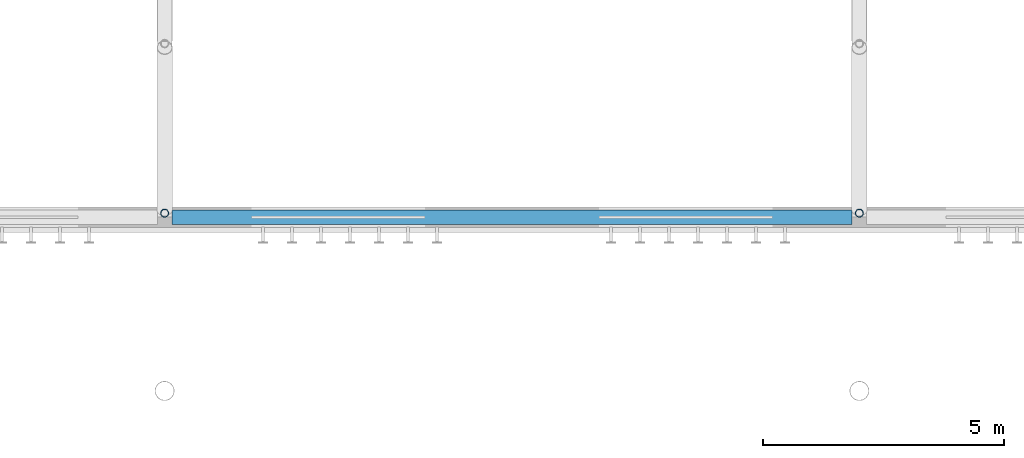
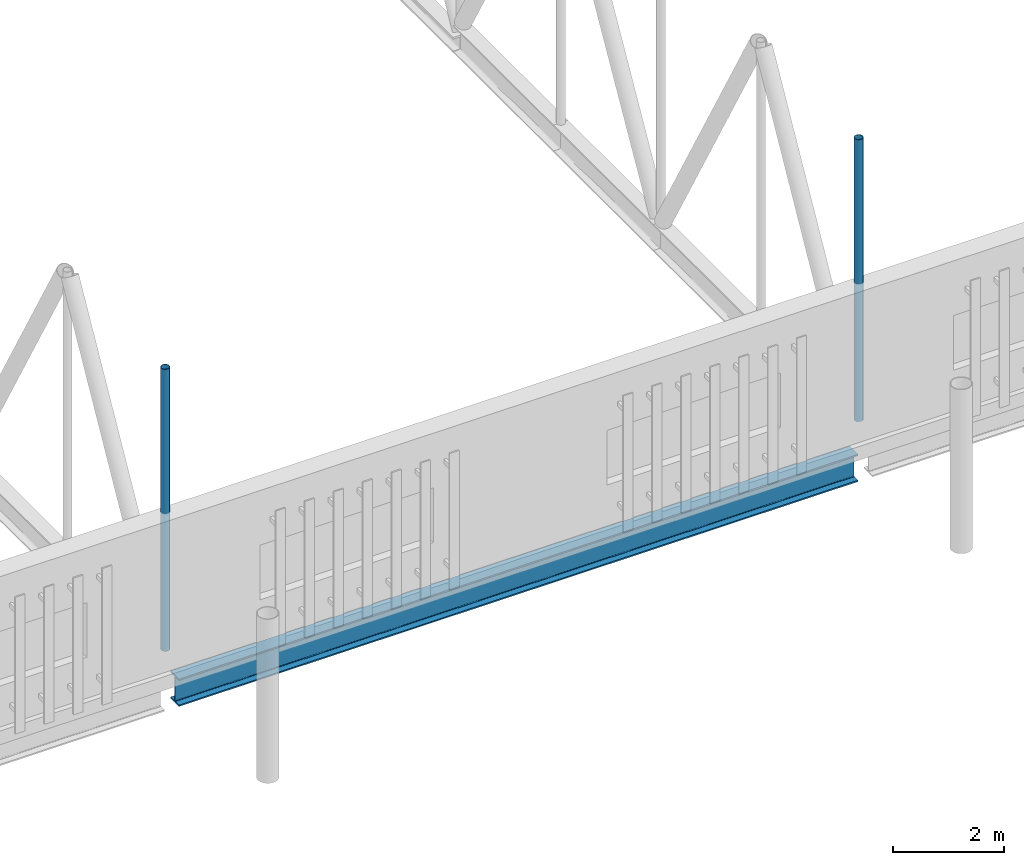
# One storey, part 33 of 142: 2 members, 1 beam.
"""IFC4 building model written with IfcOpenShell, lengths in metres."""

from ifc_helpers import new_model, si_unit, direction, frame, origin, origin_2d, place, context, subcontext, project, spatial, hollow_circle, i_section, extrude, material, material_profile, profile_set, type_object, element, save


model = new_model("IFC4")

# Units and contexts
model_context = context("Model", 3, precision=1e-05, world=origin(), true_north=direction((0.0, 1.0)))
body_context = subcontext(model_context, "Body", "Model", "MODEL_VIEW")
ifc_project = project(units=[si_unit("LENGTHUNIT", "METRE"), si_unit("AREAUNIT", "SQUARE_METRE"), si_unit("VOLUMEUNIT", "CUBIC_METRE"), si_unit("PLANEANGLEUNIT", "RADIAN"), si_unit("MASSUNIT", "GRAM", prefix="KILO")], contexts=[model_context])

# Site, building, storey
site_placement = place(None, origin())
site = spatial("IfcSite", under=ifc_project, at=site_placement, CompositionType="ELEMENT")
building_placement = place(site_placement, origin())
building = spatial("IfcBuilding", under=site, at=building_placement, Name="Kupolbacken Congress Centre", CompositionType="ELEMENT")
storey_placement = place(building_placement, frame((0.0, 0.0, 14.39990234375)))
storey = spatial("IfcBuildingStorey", under=building, at=storey_placement, Name="L04", CompositionType="ELEMENT", Elevation=14.39990234375)

# Beam
ifc_material_1 = material(Name="Steel S355", Category="steel")
ifc_material_profile_1 = material_profile(ifc_material_1, i_section(OverallWidth=0.300048828125, OverallDepth=0.60009765625, WebThickness=0.015380859375, FlangeThickness=0.030029296875, FilletRadius=0.027099609375, at=origin_2d()), Name="HEB 600")
ifc_profile_set_1 = profile_set([ifc_material_profile_1], Name="Steel S355")
beam_type = type_object("IfcBeamType", Name="B15 beam HEB 600", PredefinedType="BEAM", material=ifc_profile_set_1)
beam_placement = place(storey_placement, frame((108.14990234375, 43.199951171875, -0.2998046875), z_axis=(1.0, 0.0, 0.0), x_axis=(0.0, 1.0, 0.0)))
element("IfcBeam", 1, at=beam_placement, inside=storey, type_object=beam_type, Name="Edge girder", PredefinedType="BEAM", context=body_context, shape_type="SweptSolid", body=[
    extrude(i_section(OverallWidth=0.300048828125, OverallDepth=0.60009765625, WebThickness=0.015380859375, FlangeThickness=0.030029296875, FilletRadius=0.027099609375, at=origin_2d()), origin(), (0.0, 0.0, 1.0), 14.10009765625),
])

# Members
ifc_material_2 = material(Name="Steel S355", Category="steel")
ifc_material_profile_2 = material_profile(ifc_material_2, hollow_circle(Radius=0.084228515625, WallThickness=0.008056640625, at=origin_2d()), Name="CHS 168.3 x 8")
ifc_profile_set_2 = profile_set([ifc_material_profile_2], Name="Steel S355")
member_type = type_object("IfcMemberType", Name="M20 transfer truss post CHS 168.3 x 8", PredefinedType="STRUT", material=ifc_profile_set_2)
for number, where, z_axis, x_axis, name in (
    (2, (108.0, 43.2841796875, 0.580078125), (0.0, 0.0, 1.0), (0.0, 1.0, 0.0), "HT/T2/P00"),
    (3, (122.39990234375, 43.2841796875, 0.580078125), (0.0, 0.0, 1.0), (0.0, 1.0, 0.0), "HT/T3/P00"),
):
    element("IfcMember", number, at=place(storey_placement, frame(where, z_axis=z_axis, x_axis=x_axis)), inside=storey, type_object=member_type, Name=name, PredefinedType="STRUT", context=body_context, shape_type="SweptSolid", body=[
        extrude(hollow_circle(Radius=0.084228515625, WallThickness=0.008056640625, at=origin_2d()), origin(), (0.0, 0.0, 1.0), 6.18994140625),
    ])

save(model, "model.ifc")
